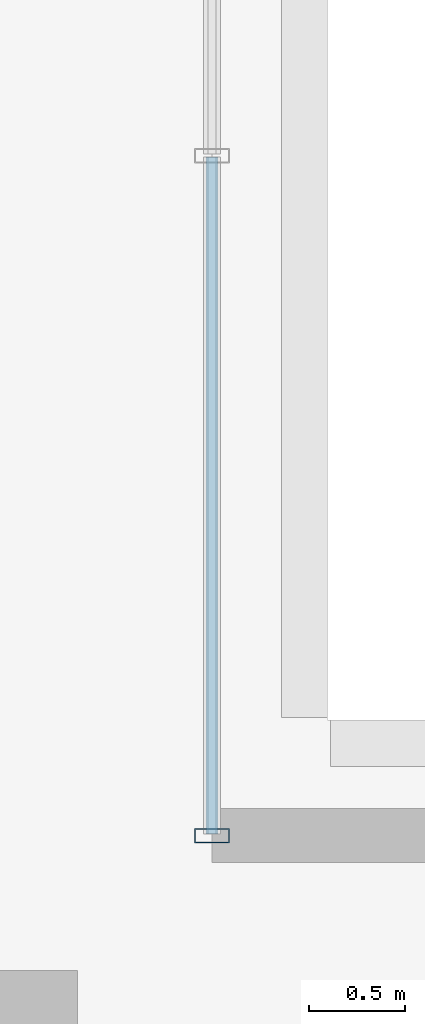
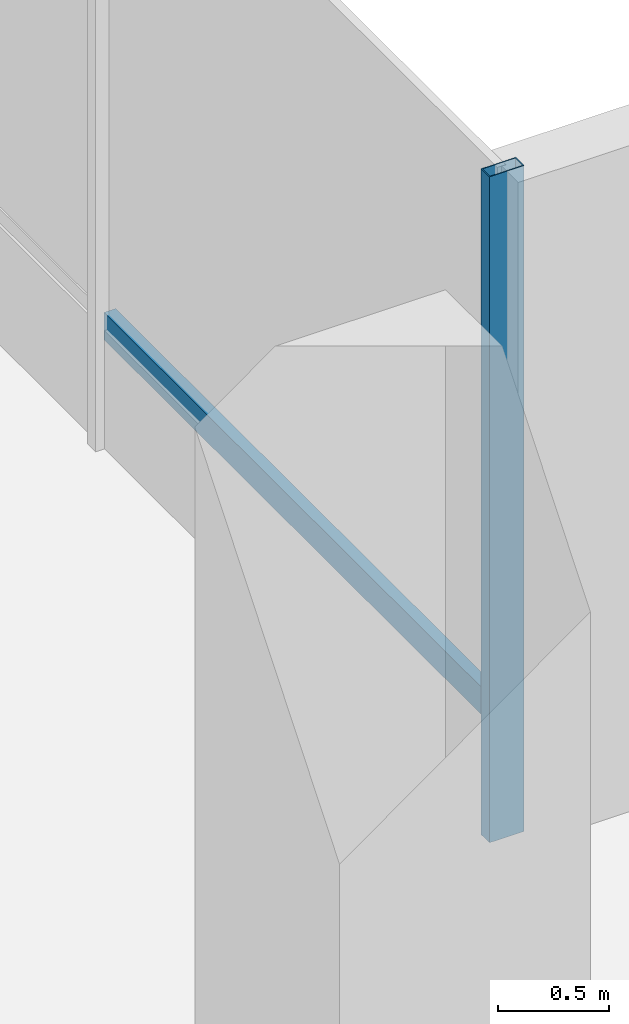
# One storey, part 24 of 34: 2 members, 1 element without a shape of its own.
"""IFC4 building model written with IfcOpenShell, lengths in metres."""

from ifc_helpers import new_model, si_unit, direction, frame, origin, origin_2d, place, context, subcontext, project, spatial, hollow_rectangle, extrude, material, layer, layer_set, material_profile, profile_set, type_object, element, aggregate, save


model = new_model("IFC4")

# Units and contexts
model_context = context("Model", 3, precision=1e-05, world=origin(), true_north=direction((0.0, 1.0)))
body_context = subcontext(model_context, "Body", "Model", "MODEL_VIEW")
ifc_project = project(units=[si_unit("LENGTHUNIT", "METRE"), si_unit("AREAUNIT", "SQUARE_METRE"), si_unit("VOLUMEUNIT", "CUBIC_METRE"), si_unit("PLANEANGLEUNIT", "RADIAN"), si_unit("MASSUNIT", "GRAM", prefix="KILO")], contexts=[model_context])

# Site, building, storey
site_placement = place(None, origin())
site = spatial("IfcSite", under=ifc_project, at=site_placement, CompositionType="ELEMENT")
building_placement = place(site_placement, origin())
building = spatial("IfcBuilding", under=site, at=building_placement, Name="Belovzor Exchange Tower", CompositionType="ELEMENT")
storey_placement = place(building_placement, frame((0.0, 0.0, 113.39990234375)))
storey = spatial("IfcBuildingStorey", under=building, at=storey_placement, Name="L27", CompositionType="ELEMENT", Elevation=113.39990234375)

# Curtain wall, members
ifc_material_1 = material(Name="Anodised Aluminium Framing", Category="aluminium")
ifc_layer = layer(ifc_material_1, 0.195068359375)
ifc_layer_set = layer_set([ifc_layer], Name="Anodised Aluminium Framing")
curtain_wall_type = type_object("IfcCurtainWallType", Name="Notched Re-Entrant Corner Unitised Curtain Wall", PredefinedType="NOTDEFINED", material=ifc_layer_set)
curtain_wall_placement = place(storey_placement, origin())
curtain_wall = element("IfcCurtainWall", 1, at=curtain_wall_placement, inside=storey, type_object=curtain_wall_type, Name="CW5 Notched Re-Entrant Corner Unitised Curtain Wall L27", PredefinedType="NOTDEFINED")
ifc_material_2 = material(Name="Steel S355", Category="steel")
ifc_material_profile_1 = material_profile(ifc_material_2, hollow_rectangle(XDim=0.074951171875, YDim=0.179931640625, WallThickness=0.0048828125, at=origin_2d()))
ifc_profile_set_1 = profile_set([ifc_material_profile_1], Name="Steel S355")
member_type_1 = type_object("IfcMemberType", Name="Thermally Broken Curtain Wall Mullion 180x75", PredefinedType="MULLION", material=ifc_profile_set_1)
member_1_placement = place(storey_placement, frame((47.699951171875, 47.699951171875, 0.0), z_axis=(0.0, 0.0, 1.0), x_axis=(0.0, -1.0, 0.0)))
member_1 = element("IfcMember", 2, at=member_1_placement, type_object=member_type_1, Name="CW-M180 Curtain Wall Mullion 3", PredefinedType="MULLION", context=body_context, shape_type="SweptSolid", body=[
    extrude(hollow_rectangle(XDim=0.074951171875, YDim=0.179931640625, WallThickness=0.0048828125, at=origin_2d()), origin(), (0.0, 0.0, 1.0), 3.650146484375),
])
ifc_material_3 = material(Name="Steel S355", Category="steel")
ifc_material_profile_2 = material_profile(ifc_material_3, hollow_rectangle(XDim=0.06005859375, YDim=0.14990234375, WallThickness=0.00390625, at=origin_2d()))
ifc_profile_set_2 = profile_set([ifc_material_profile_2], Name="Steel S355")
member_type_2 = type_object("IfcMemberType", Name="Thermally Broken Curtain Wall Transom 150x60", PredefinedType="USERDEFINED", material=ifc_profile_set_2)
member_2_placement = place(storey_placement, frame((47.699951171875, 51.22705078125, 0.650146484375), z_axis=(0.0, -1.0, 0.0), x_axis=(1.0, 0.0, 0.0)))
member_2 = element("IfcMember", 3, at=member_2_placement, type_object=member_type_2, Name="CW-T150 Curtain Wall Transom 2", ObjectType="TRANSOM", PredefinedType="USERDEFINED", context=body_context, shape_type="SweptSolid", body=[
    extrude(hollow_rectangle(XDim=0.06005859375, YDim=0.14990234375, WallThickness=0.00390625, at=origin_2d()), origin(), (0.0, 0.0, 1.0), 3.51904296875),
])
aggregate(curtain_wall, [member_1, member_2])

save(model, "model.ifc")
